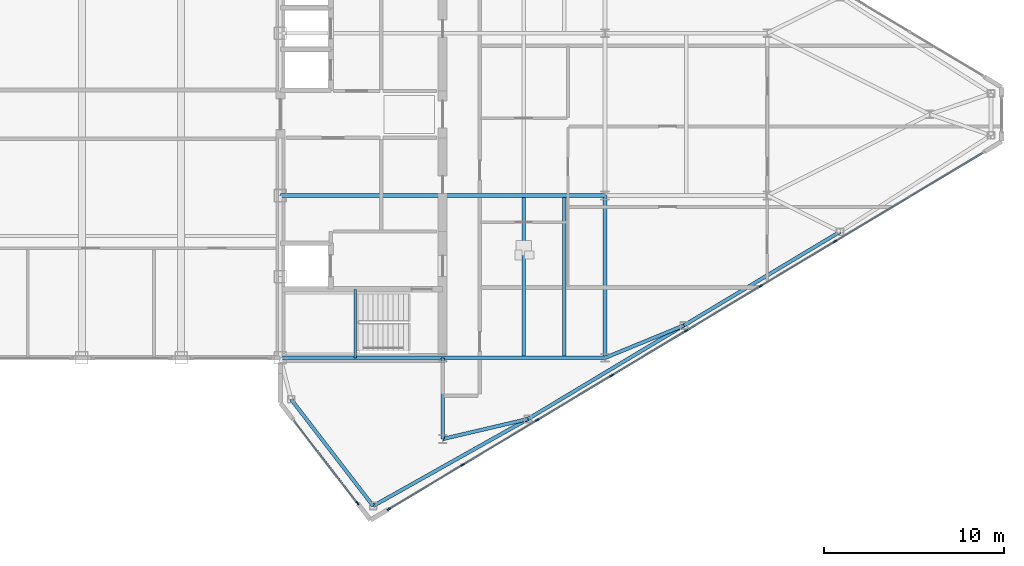
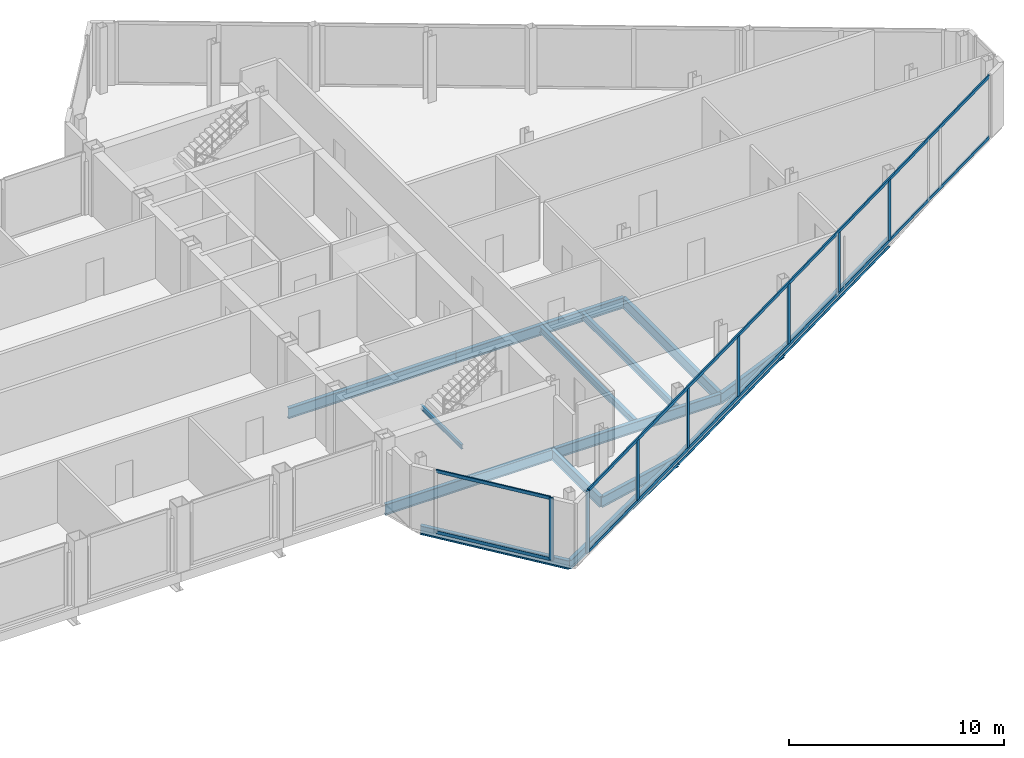
# One storey, part 14 of 28: 15 beams, 12 members, 2 elements without a shape of their own.
"""IFC4 building model written with IfcOpenShell, lengths in metres."""

from ifc_helpers import new_model, si_unit, direction, frame, origin, origin_2d, place, context, subcontext, project, spatial, rectangle, i_section, extrude, source, transform, mapped, material, layer, layer_set, material_profile, profile_set, type_object, type_shapes, element, aggregate, save


model = new_model("IFC4")

# Units and contexts
model_context = context("Model", 3, precision=1e-05, world=origin(), true_north=direction((0.0, 1.0)))
body_context = subcontext(model_context, "Body", "Model", "MODEL_VIEW")
ifc_project = project(units=[si_unit("LENGTHUNIT", "METRE"), si_unit("AREAUNIT", "SQUARE_METRE"), si_unit("VOLUMEUNIT", "CUBIC_METRE"), si_unit("PLANEANGLEUNIT", "RADIAN"), si_unit("MASSUNIT", "GRAM", prefix="KILO")], contexts=[model_context])

# Site, building, storey
site_placement = place(None, origin())
site = spatial("IfcSite", under=ifc_project, at=site_placement, CompositionType="ELEMENT")
building_placement = place(site_placement, origin())
building = spatial("IfcBuilding", under=site, at=building_placement, Name="Seokmaru Belvedere", CompositionType="ELEMENT")
storey_placement = place(building_placement, frame((0.0, 0.0, 261.89990234375)))
storey = spatial("IfcBuildingStorey", under=building, at=storey_placement, Name="L69", CompositionType="ELEMENT", Elevation=261.89990234375)

# Beams
ifc_material_1 = material(Name="Steel SM355 (355 MPa)", Category="steel")
ifc_material_profile_1 = material_profile(ifc_material_1, i_section(OverallWidth=0.199951171875, OverallDepth=0.60009765625, WebThickness=0.010986328125, FlangeThickness=0.01708984375, at=origin_2d()), Name="H-600x200x11x17")
ifc_profile_set_1 = profile_set([ifc_material_profile_1], Name="Steel SM355 (355 MPa)")
beam_type_1 = type_object("IfcBeamType", Name="Primary Floor Girder H-600", PredefinedType="BEAM", material=ifc_profile_set_1)
shared_shape_1 = source(origin(), body_context, "Body", "SweptSolid", [
    extrude(i_section(OverallWidth=0.199951171875, OverallDepth=0.60009765625, WebThickness=0.010986328125, FlangeThickness=0.01708984375, at=origin_2d()), origin(), (0.0, 0.0, 1.0), 9.0),
])
for number, where, z_axis, x_axis, name in (
    (1, (45.5, -13.5, -0.52001953125), (0.0, 1.0, 0.0), (-1.0, 0.0, 0.0), "L69 E Interior Grid Girder 1"),
    (2, (27.5, -13.5, -0.52001953125), (1.0, 0.0, 0.0), (0.0, 1.0, 0.0), "L69 E Core Tie Girder 1"),
    (3, (36.5, -13.5, -0.52001953125), (1.0, 0.0, 0.0), (0.0, 1.0, 0.0), "L69 E Wing Primary Girder 1"),
    (4, (27.5, -4.5, -0.52001953125), (1.0, 0.0, 0.0), (0.0, 1.0, 0.0), "L69 E Core Tie Girder 2"),
    (5, (36.5, -4.5, -0.52001953125), (1.0, 0.0, 0.0), (0.0, 1.0, 0.0), "L69 E Wing Primary Girder 2"),
):
    element("IfcBeam", number, at=place(storey_placement, frame(where, z_axis=z_axis, x_axis=x_axis)), inside=storey, type_object=beam_type_1, Name=name, PredefinedType="BEAM", context=body_context, shape_type="MappedRepresentation", body=[
        mapped(shared_shape_1, transform((0.0, 0.0, 0.0), scale=1.0)),
    ])
ifc_material_profile_2 = material_profile(ifc_material_1, i_section(OverallWidth=0.18505859375, OverallDepth=0.389892578125, WebThickness=0.008056640625, FlangeThickness=0.011962890625, at=origin_2d()), Name="H-390x185x8x12")
ifc_profile_set_2 = profile_set([ifc_material_profile_2], Name="Steel SM355 (355 MPa)")
beam_type_2 = type_object("IfcBeamType", Name="Secondary Floor Joist H-350", PredefinedType="JOIST", material=ifc_profile_set_2)
shared_shape_2 = source(origin(), body_context, "Body", "SweptSolid", [
    extrude(i_section(OverallWidth=0.18505859375, OverallDepth=0.389892578125, WebThickness=0.008056640625, FlangeThickness=0.011962890625, at=origin_2d()), origin(), (0.0, 0.0, 1.0), 8.7900390625),
])
type_shapes(beam_type_2, [shared_shape_2])
for number, where, z_axis, x_axis, name in (
    (6, (43.25, -13.39501953125, -0.414794921875), (0.0, 1.0, 0.0), (-1.0, 0.0, 0.0), "L69 E Wing Inner Secondary Joist 1"),
    (7, (41.0, -13.39501953125, -0.414794921875), (0.0, 1.0, 0.0), (-1.0, 0.0, 0.0), "L69 E Secondary Floor Joist 1"),
):
    element("IfcBeam", number, at=place(storey_placement, frame(where, z_axis=z_axis, x_axis=x_axis)), inside=storey, type_object=beam_type_2, Name=name, PredefinedType="JOIST", context=body_context, shape_type="MappedRepresentation", body=[
        mapped(shared_shape_2, transform((0.0, 0.0, 0.0), scale=1.0)),
    ])
shared_shape_3 = source(origin(), body_context, "Body", "SweptSolid", [
    extrude(i_section(OverallWidth=0.199951171875, OverallDepth=0.60009765625, WebThickness=0.010986328125, FlangeThickness=0.01708984375, at=origin_2d()), origin(), (0.0, 0.0, 1.0), 4.5),
])
beam_1_placement = place(storey_placement, frame((36.5, -18.0, -0.52001953125), z_axis=(0.0, 1.0, 0.0), x_axis=(-1.0, 0.0, 0.0)))
element("IfcBeam", 8, at=beam_1_placement, inside=storey, type_object=beam_type_1, Name="L69 E Core Shoulder Girder S", PredefinedType="BEAM", context=body_context, shape_type="MappedRepresentation", body=[
    mapped(shared_shape_3, transform((0.0, 0.0, 0.0), scale=1.0)),
])
ifc_material_profile_3 = material_profile(ifc_material_1, i_section(OverallWidth=0.199951171875, OverallDepth=0.5, WebThickness=0.010009765625, FlangeThickness=0.01611328125, at=origin_2d()), Name="H-500x200x10x16")
ifc_profile_set_3 = profile_set([ifc_material_profile_3], Name="Steel SM355 (355 MPa)")
beam_type_3 = type_object("IfcBeamType", Name="Perimeter Spandrel Beam H-500", PredefinedType="SPANDREL", material=ifc_profile_set_3)
shared_shape_4 = source(origin(), body_context, "Body", "SweptSolid", [
    extrude(i_section(OverallWidth=0.199951171875, OverallDepth=0.5, WebThickness=0.010009765625, FlangeThickness=0.01611328125, at=origin_2d()), origin(), (0.0, 0.0, 1.0), 9.842041015625),
])
beam_2_placement = place(storey_placement, frame((32.649658203125, -21.71044921875, -0.469970703125), z_axis=(0.871782151818, 0.489893743349, 0.0), x_axis=(-0.489893743349, 0.871782151818, 0.0)))
element("IfcBeam", 9, at=beam_2_placement, inside=storey, type_object=beam_type_3, Name="L69 E Faceted Flank Spandrel S-1", PredefinedType="SPANDREL", context=body_context, shape_type="MappedRepresentation", body=[
    mapped(shared_shape_4, transform((0.0, 0.0, 0.0), scale=1.0)),
])
shared_shape_5 = source(origin(), body_context, "Body", "SweptSolid", [
    extrude(i_section(OverallWidth=0.199951171875, OverallDepth=0.5, WebThickness=0.010009765625, FlangeThickness=0.01611328125, at=origin_2d()), origin(), (0.0, 0.0, 1.0), 10.087646484375),
])
for number, where, z_axis, x_axis, name in (
    (10, (41.229736328125, -16.888916015625, -0.469970703125), (0.857499332045, 0.514485078056, 0.0), (-0.514485078056, 0.857499332045, 0.0), "L69 E Faceted Flank Spandrel S-2"),
    (11, (49.8798828125, -11.698974609375, -0.469970703125), (0.857488654804, 0.514502873542, 0.0), (-0.514502873542, 0.857488654804, 0.0), "L69 E Faceted Flank Spandrel S-3"),
):
    element("IfcBeam", number, at=place(storey_placement, frame(where, z_axis=z_axis, x_axis=x_axis)), inside=storey, type_object=beam_type_3, Name=name, PredefinedType="SPANDREL", context=body_context, shape_type="MappedRepresentation", body=[
        mapped(shared_shape_5, transform((0.0, 0.0, 0.0), scale=1.0)),
    ])
shared_shape_6 = source(origin(), body_context, "Body", "SweptSolid", [
    extrude(i_section(OverallWidth=0.199951171875, OverallDepth=0.5, WebThickness=0.010009765625, FlangeThickness=0.01611328125, at=origin_2d()), origin(), (0.0, 0.0, 1.0), 7.4619140625),
])
type_shapes(beam_type_3, [shared_shape_4, shared_shape_5, shared_shape_6])
beam_3_placement = place(storey_placement, frame((32.649658203125, -21.71044921875, -0.469970703125), z_axis=(-0.609702854945, 0.792630070507, 0.0), x_axis=(-0.792630070507, -0.609702854945, 0.0)))
element("IfcBeam", 12, at=beam_3_placement, inside=storey, type_object=beam_type_3, Name="L69 E Shoulder Chamfer Spandrel S", PredefinedType="SPANDREL", context=body_context, shape_type="MappedRepresentation", body=[
    mapped(shared_shape_6, transform((0.0, 0.0, 0.0), scale=1.0)),
])
shared_shape_7 = source(origin(), body_context, "Body", "SweptSolid", [
    extrude(i_section(OverallWidth=0.199951171875, OverallDepth=0.60009765625, WebThickness=0.010986328125, FlangeThickness=0.01708984375, at=origin_2d()), origin(), (0.0, 0.0, 1.0), 4.8583984375),
])
beam_4_placement = place(storey_placement, frame((41.229736328125, -16.888916015625, -0.52001953125), z_axis=(-0.97349948295, -0.228689214211, 0.0), x_axis=(0.228689214211, -0.97349948295, 0.0)))
element("IfcBeam", 13, at=beam_4_placement, inside=storey, type_object=beam_type_1, Name="L69 E Flank Radial Floor Girder S-1", PredefinedType="BEAM", context=body_context, shape_type="MappedRepresentation", body=[
    mapped(shared_shape_7, transform((0.0, 0.0, 0.0), scale=1.0)),
])
shared_shape_8 = source(origin(), body_context, "Body", "SweptSolid", [
    extrude(i_section(OverallWidth=0.199951171875, OverallDepth=0.60009765625, WebThickness=0.010986328125, FlangeThickness=0.01708984375, at=origin_2d()), origin(), (0.0, 0.0, 1.0), 4.73583984375),
])
type_shapes(beam_type_1, [shared_shape_1, shared_shape_3, shared_shape_7, shared_shape_8])
beam_5_placement = place(storey_placement, frame((49.8798828125, -11.698974609375, -0.52001953125), z_axis=(-0.924860562953, -0.380306375301, 0.0), x_axis=(0.380306375301, -0.924860562953, 0.0)))
element("IfcBeam", 14, at=beam_5_placement, inside=storey, type_object=beam_type_1, Name="L69 E Flank Radial Floor Girder S-2", PredefinedType="BEAM", context=body_context, shape_type="MappedRepresentation", body=[
    mapped(shared_shape_8, transform((0.0, 0.0, 0.0), scale=1.0)),
])

# Curtain wall, members
ifc_material_2 = material(Name="Bronze Triple Insulating Glass", Category="glass")
ifc_layer = layer(ifc_material_2, 0.219970703125)
ifc_layer_set = layer_set([ifc_layer], Name="Bronze Triple Insulating Glass")
curtain_wall_type = type_object("IfcCurtainWallType", Name="Sky-Gate Bridge Panorama Curtain Wall System CW-6", PredefinedType="NOTDEFINED", material=ifc_layer_set)
curtain_wall_1_placement = place(storey_placement, origin())
curtain_wall_1 = element("IfcCurtainWall", 15, at=curtain_wall_1_placement, inside=storey, type_object=curtain_wall_type, Name="L69 Curtain Wall EF6", PredefinedType="NOTDEFINED")
ifc_material_3 = material(Name="Anodised Bronze Aluminium", Category="aluminium")
ifc_material_profile_4 = material_profile(ifc_material_3, rectangle(XDim=0.074951171875, YDim=0.179931640625, at=origin_2d()), Name="CW-T-75x180")
ifc_profile_set_4 = profile_set([ifc_material_profile_4], Name="Anodised Bronze Aluminium")
member_type_1 = type_object("IfcMemberType", Name="Bronze Unitised Transom 75x180", PredefinedType="USERDEFINED", material=ifc_profile_set_4)
shared_shape_9 = source(origin(), body_context, "Body", "SweptSolid", [
    extrude(rectangle(XDim=0.074951171875, YDim=0.179931640625, at=origin_2d()), origin(), (0.0, 0.0, 1.0), 5.74072265625),
])
member_1_placement = place(storey_placement, frame((28.25, -16.974853515625, 0.03759765625), z_axis=(0.609686097287, -0.792642960465, 0.0), x_axis=(0.792642960465, 0.609686097287, 0.0)))
member_1 = element("IfcMember", 16, at=member_1_placement, type_object=member_type_1, Name="CW:L69:EF6 Continuous Transom 1", ObjectType="TRANSOM", PredefinedType="USERDEFINED", context=body_context, shape_type="MappedRepresentation", body=[
    mapped(shared_shape_9, transform((0.0, 0.0, 0.0), scale=1.0)),
])
member_2_placement = place(storey_placement, frame((28.25, -16.974853515625, 3.49267578125), z_axis=(0.609686097287, -0.792642960465, 0.0), x_axis=(0.792642960465, 0.609686097287, 0.0)))
member_2 = element("IfcMember", 17, at=member_2_placement, type_object=member_type_1, Name="CW:L69:EF6 Continuous Transom 2", ObjectType="TRANSOM", PredefinedType="USERDEFINED", context=body_context, shape_type="MappedRepresentation", body=[
    mapped(shared_shape_9, transform((0.0, 0.0, 0.0), scale=1.0)),
])

curtain_wall_2_placement = place(storey_placement, origin())
curtain_wall_2 = element("IfcCurtainWall", 18, at=curtain_wall_2_placement, inside=storey, type_object=curtain_wall_type, Name="L69 Curtain Wall EF1", PredefinedType="NOTDEFINED")
shared_shape_10 = source(origin(), body_context, "Body", "SweptSolid", [
    extrude(rectangle(XDim=0.074951171875, YDim=0.179931640625, at=origin_2d()), origin(), (0.0, 0.0, 1.0), 38.356689453125),
])
type_shapes(member_type_1, [shared_shape_9, shared_shape_10])
member_3_placement = place(storey_placement, frame((33.5546875, -21.8671875, 0.03759765625), z_axis=(0.857492925713, 0.514495755428, 0.0), x_axis=(-0.514495755428, 0.857492925713, 0.0)))
member_3 = element("IfcMember", 19, at=member_3_placement, type_object=member_type_1, Name="CW:L69:EF1 Continuous Transom 1", ObjectType="TRANSOM", PredefinedType="USERDEFINED", context=body_context, shape_type="MappedRepresentation", body=[
    mapped(shared_shape_10, transform((0.0, 0.0, 0.0), scale=1.0)),
])
member_4_placement = place(storey_placement, frame((33.5546875, -21.8671875, 3.49267578125), z_axis=(0.857492925713, 0.514495755428, 0.0), x_axis=(-0.514495755428, 0.857492925713, 0.0)))
member_4 = element("IfcMember", 20, at=member_4_placement, type_object=member_type_1, Name="CW:L69:EF1 Continuous Transom 2", ObjectType="TRANSOM", PredefinedType="USERDEFINED", context=body_context, shape_type="MappedRepresentation", body=[
    mapped(shared_shape_10, transform((0.0, 0.0, 0.0), scale=1.0)),
])
ifc_material_profile_5 = material_profile(ifc_material_3, rectangle(XDim=0.080078125, YDim=0.219970703125, at=origin_2d()), Name="CW-M-80x220")
ifc_profile_set_5 = profile_set([ifc_material_profile_5], Name="Anodised Bronze Aluminium")
member_type_2 = type_object("IfcMemberType", Name="Bronze Unitised Mullion 80x220", PredefinedType="MULLION", material=ifc_profile_set_5)
shared_shape_11 = source(origin(), body_context, "Body", "SweptSolid", [
    extrude(rectangle(XDim=0.080078125, YDim=0.219970703125, at=origin_2d()), origin(), (0.0, 0.0, 1.0), 3.530029296875),
])
member_5_placement = place(storey_placement, frame((33.5205078125, -21.8876953125, 0.0), z_axis=(0.0, 0.0, 1.0), x_axis=(-0.514494909364, 0.85749343335, 0.0)))
member_5 = element("IfcMember", 21, at=member_5_placement, type_object=member_type_2, Name="CW:L69:EF1 Mullion 1", PredefinedType="MULLION", context=body_context, shape_type="MappedRepresentation", body=[
    mapped(shared_shape_11, transform((0.0, 0.0, 0.0), scale=1.0)),
])

# Member
member_6_placement = place(storey_placement, frame((31.7744140625, -21.556884765625, 0.0), z_axis=(0.0, 0.0, 1.0), x_axis=(0.792631353244, 0.609701187349, 0.0)))
member_6 = element("IfcMember", 22, at=member_6_placement, type_object=member_type_2, Name="CW:L69:EF6 Mullion 2", PredefinedType="MULLION", context=body_context, shape_type="MappedRepresentation", body=[
    mapped(shared_shape_11, transform((0.0, 0.0, 0.0), scale=1.0)),
])

aggregate(curtain_wall_1, [member_6, member_1, member_2])

shared_shape_12 = source(origin(), body_context, "Body", "SweptSolid", [
    extrude(rectangle(XDim=0.080078125, YDim=0.219970703125, at=origin_2d()), origin(), (0.0, 0.0, 1.0), 3.3798828125),
])
type_shapes(member_type_2, [shared_shape_11, shared_shape_12])
member_7_placement = place(storey_placement, frame((37.614501953125, -19.43115234375, 0.0751953125), z_axis=(0.0, 0.0, 1.0), x_axis=(-0.514494909364, 0.85749343335, 0.0)))
member_7 = element("IfcMember", 23, at=member_7_placement, type_object=member_type_2, Name="CW:L69:EF1 Mullion 2", PredefinedType="MULLION", context=body_context, shape_type="MappedRepresentation", body=[
    mapped(shared_shape_12, transform((0.0, 0.0, 0.0), scale=1.0)),
])

member_8_placement = place(storey_placement, frame((41.7431640625, -16.9541015625, 0.0751953125), z_axis=(0.0, 0.0, 1.0), x_axis=(-0.514494909364, 0.85749343335, 0.0)))
member_8 = element("IfcMember", 24, at=member_8_placement, type_object=member_type_2, Name="CW:L69:EF1 Mullion 3", PredefinedType="MULLION", context=body_context, shape_type="MappedRepresentation", body=[
    mapped(shared_shape_12, transform((0.0, 0.0, 0.0), scale=1.0)),
])

member_9_placement = place(storey_placement, frame((45.87158203125, -14.47705078125, 0.0751953125), z_axis=(0.0, 0.0, 1.0), x_axis=(-0.514494909364, 0.85749343335, 0.0)))
member_9 = element("IfcMember", 25, at=member_9_placement, type_object=member_type_2, Name="CW:L69:EF1 Mullion 4", PredefinedType="MULLION", context=body_context, shape_type="MappedRepresentation", body=[
    mapped(shared_shape_12, transform((0.0, 0.0, 0.0), scale=1.0)),
])

member_10_placement = place(storey_placement, frame((50.0, -12.0, 0.0751953125), z_axis=(0.0, 0.0, 1.0), x_axis=(-0.514494909364, 0.85749343335, 0.0)))
member_10 = element("IfcMember", 26, at=member_10_placement, type_object=member_type_2, Name="CW:L69:EF1 Mullion 5", PredefinedType="MULLION", context=body_context, shape_type="MappedRepresentation", body=[
    mapped(shared_shape_12, transform((0.0, 0.0, 0.0), scale=1.0)),
])

member_11_placement = place(storey_placement, frame((54.12841796875, -9.52294921875, 0.0751953125), z_axis=(0.0, 0.0, 1.0), x_axis=(-0.514494909364, 0.85749343335, 0.0)))
member_11 = element("IfcMember", 27, at=member_11_placement, type_object=member_type_2, Name="CW:L69:EF1 Mullion 6", PredefinedType="MULLION", context=body_context, shape_type="MappedRepresentation", body=[
    mapped(shared_shape_12, transform((0.0, 0.0, 0.0), scale=1.0)),
])

member_12_placement = place(storey_placement, frame((58.257080078125, -7.0458984375, 0.0751953125), z_axis=(0.0, 0.0, 1.0), x_axis=(-0.514494909364, 0.85749343335, 0.0)))
member_12 = element("IfcMember", 28, at=member_12_placement, type_object=member_type_2, Name="CW:L69:EF1 Mullion 7", PredefinedType="MULLION", context=body_context, shape_type="MappedRepresentation", body=[
    mapped(shared_shape_12, transform((0.0, 0.0, 0.0), scale=1.0)),
])

aggregate(curtain_wall_2, [member_5, member_7, member_8, member_9, member_10, member_11, member_12, member_3, member_4])

# Beam
ifc_material_profile_6 = material_profile(ifc_material_1, i_section(OverallWidth=0.125, OverallDepth=0.25, WebThickness=0.006103515625, FlangeThickness=0.009033203125, at=origin_2d()), Name="H-250x125x6x9")
ifc_profile_set_6 = profile_set([ifc_material_profile_6], Name="Steel SM355 (355 MPa)")
beam_type_4 = type_object("IfcBeamType", Name="Stair Mid-Landing Support Beam H-250", PredefinedType="JOIST", material=ifc_profile_set_6)
shared_shape_13 = source(origin(), body_context, "Body", "SweptSolid", [
    extrude(i_section(OverallWidth=0.125, OverallDepth=0.25, WebThickness=0.006103515625, FlangeThickness=0.009033203125, at=origin_2d()), origin(), (0.0, 0.0, 1.0), 3.800048828125),
])
type_shapes(beam_type_4, [shared_shape_13])
beam_6_placement = place(storey_placement, frame((31.64990234375, -13.5, 1.550048828125), z_axis=(0.0, 1.0, 0.0), x_axis=(-1.0, 0.0, 0.0)))
element("IfcBeam", 29, at=beam_6_placement, inside=storey, type_object=beam_type_4, Name="L69 Stair ST-E1 Mid-Landing Support Beam 1", PredefinedType="JOIST", context=body_context, shape_type="MappedRepresentation", body=[
    mapped(shared_shape_13, transform((0.0, 0.0, 0.0), scale=1.0)),
])

save(model, "model.ifc")
